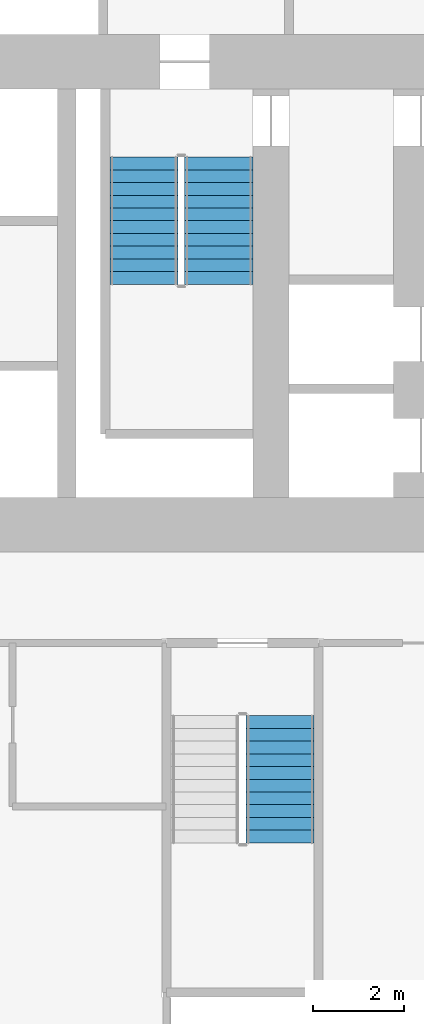
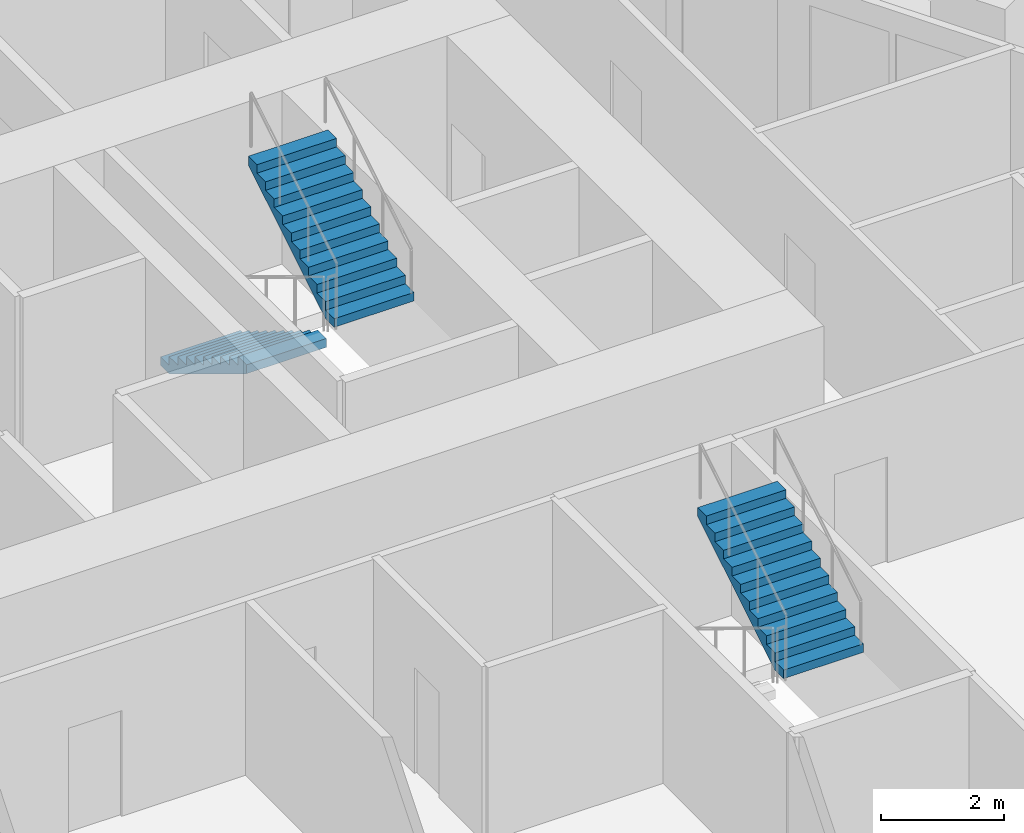
# One storey, part 7 of 8: 3 stair flights, 2 elements without a shape of their own.
"""IFC4 building model written with IfcOpenShell, lengths in metres."""

from ifc_helpers import new_model, si_unit, direction, frame, origin, place, context, subcontext, project, spatial, polyline, outline, extrude, material, type_object, element, aggregate, save


model = new_model("IFC4")

# Units and contexts
model_context = context("Model", 3, precision=1e-05, world=origin(), true_north=direction((0.0, 1.0)))
body_context = subcontext(model_context, "Body", "Model", "MODEL_VIEW")
ifc_project = project(units=[si_unit("LENGTHUNIT", "METRE"), si_unit("AREAUNIT", "SQUARE_METRE"), si_unit("VOLUMEUNIT", "CUBIC_METRE"), si_unit("PLANEANGLEUNIT", "RADIAN"), si_unit("MASSUNIT", "GRAM", prefix="KILO")], contexts=[model_context])

# Site, building, storey
site_placement = place(None, origin())
site = spatial("IfcSite", under=ifc_project, at=site_placement, CompositionType="ELEMENT")
building_placement = place(site_placement, origin())
building = spatial("IfcBuilding", under=site, at=building_placement, Name="Ostrander Bayou Hotel Tower", CompositionType="ELEMENT")
storey_placement = place(building_placement, frame((0.0, 0.0, 54.25)))
storey = spatial("IfcBuildingStorey", under=building, at=storey_placement, Name="L13", CompositionType="ELEMENT", Elevation=54.25)

# Stair, stair flights
ifc_material_1 = material(Name="Concrete f'c 45 MPa", Category="concrete")
stair_type = type_object("IfcStairType", Name="ST1 exit stair 1500 mm f'c 45 MPa", PredefinedType="HALF_TURN_STAIR", material=ifc_material_1)
stair_1_placement = place(storey_placement, origin())
stair_1 = element("IfcStair", 1, at=stair_1_placement, inside=storey, type_object=stair_type, Name="L13 exit stair B", PredefinedType="HALF_TURN_STAIR")
ifc_material_2 = material(Name="Concrete f'c 45 MPa", Category="concrete")
stair_flight_type = type_object("IfcStairFlightType", Name="SF1 stair flight 1500 mm f'c 45 MPa", PredefinedType="STRAIGHT", material=ifc_material_2)
stair_flight_1_placement = place(storey_placement, frame((5.300048828125, 7.0, 0.0), z_axis=(0.0, 0.0, 1.0), x_axis=(0.0, -1.0, 0.0)))
stair_flight_1 = element("IfcStairFlight", 2, at=stair_flight_1_placement, type_object=stair_flight_type, Name="STB flight 1", NumberOfRisers=11, NumberOfTreads=10, PredefinedType="STRAIGHT", RiserHeight=0.170454545, TreadLength=0.28, context=body_context, shape_type="SweptSolid", body=[
    extrude(outline(polyline([(0.0, 0.0), (0.0, 0.17041015625), (0.280029296875, 0.17041015625), (0.280029296875, 0.3408203125), (0.56005859375, 0.3408203125), (0.56005859375, 0.511474609375), (0.840087890625, 0.511474609375), (0.840087890625, 0.681884765625), (1.1201171875, 0.681884765625), (1.1201171875, 0.852294921875), (1.39990234375, 0.852294921875), (1.39990234375, 1.022705078125), (1.679931640625, 1.022705078125), (1.679931640625, 1.193115234375), (1.9599609375, 1.193115234375), (1.9599609375, 1.363525390625), (2.239990234375, 1.363525390625), (2.239990234375, 1.5341796875), (2.52001953125, 1.5341796875), (2.52001953125, 1.70458984375), (2.800048828125, 1.70458984375), (2.800048828125, 1.875), (2.800048828125, 1.529052734375), (0.288330078125, 0.0), (0.0, 0.0)])), frame((0.0, 0.75, 0.0), z_axis=(0.0, -1.0, 0.0), x_axis=(1.0, 0.0, 0.0)), (0.0, 0.0, 1.0), 1.5),
])
stair_flight_2_placement = place(storey_placement, frame((6.949951171875, 4.199951171875, 1.875), z_axis=(0.0, 0.0, 1.0), x_axis=(0.0, 1.0, 0.0)))
stair_flight_2 = element("IfcStairFlight", 3, at=stair_flight_2_placement, type_object=stair_flight_type, Name="STB flight 2", NumberOfRisers=11, NumberOfTreads=10, PredefinedType="STRAIGHT", RiserHeight=0.170454545, TreadLength=0.28, context=body_context, shape_type="SweptSolid", body=[
    extrude(outline(polyline([(0.0, 0.0), (0.0, 0.17041015625), (0.280029296875, 0.17041015625), (0.280029296875, 0.3408203125), (0.56005859375, 0.3408203125), (0.56005859375, 0.511474609375), (0.840087890625, 0.511474609375), (0.840087890625, 0.681884765625), (1.1201171875, 0.681884765625), (1.1201171875, 0.852294921875), (1.39990234375, 0.852294921875), (1.39990234375, 1.022705078125), (1.679931640625, 1.022705078125), (1.679931640625, 1.193115234375), (1.9599609375, 1.193115234375), (1.9599609375, 1.363525390625), (2.239990234375, 1.363525390625), (2.239990234375, 1.5341796875), (2.52001953125, 1.5341796875), (2.52001953125, 1.70458984375), (2.800048828125, 1.70458984375), (2.800048828125, 1.875), (2.800048828125, 1.529052734375), (0.288330078125, 0.0), (0.0, 0.0)])), frame((0.0, 0.75, 0.0), z_axis=(0.0, -1.0, 0.0), x_axis=(1.0, 0.0, 0.0)), (0.0, 0.0, 1.0), 1.5),
])
aggregate(stair_1, [stair_flight_1, stair_flight_2])

# Stair, stair flight
stair_2_placement = place(storey_placement, origin())
stair_2 = element("IfcStair", 4, at=stair_2_placement, inside=storey, type_object=stair_type, Name="L13 exit stair C", PredefinedType="HALF_TURN_STAIR")
stair_flight_3_placement = place(storey_placement, frame((8.300048828125, -8.10009765625, 1.875), z_axis=(0.0, 0.0, 1.0), x_axis=(0.0, 1.0, 0.0)))
stair_flight_3 = element("IfcStairFlight", 5, at=stair_flight_3_placement, type_object=stair_flight_type, Name="STC flight 2", NumberOfRisers=11, NumberOfTreads=10, PredefinedType="STRAIGHT", RiserHeight=0.170454545, TreadLength=0.28, context=body_context, shape_type="SweptSolid", body=[
    extrude(outline(polyline([(0.0, 0.0), (0.0, 0.17041015625), (0.280029296875, 0.17041015625), (0.280029296875, 0.3408203125), (0.56005859375, 0.3408203125), (0.56005859375, 0.511474609375), (0.840087890625, 0.511474609375), (0.840087890625, 0.681884765625), (1.1201171875, 0.681884765625), (1.1201171875, 0.852294921875), (1.39990234375, 0.852294921875), (1.39990234375, 1.022705078125), (1.679931640625, 1.022705078125), (1.679931640625, 1.193115234375), (1.9599609375, 1.193115234375), (1.9599609375, 1.363525390625), (2.239990234375, 1.363525390625), (2.239990234375, 1.5341796875), (2.52001953125, 1.5341796875), (2.52001953125, 1.70458984375), (2.800048828125, 1.70458984375), (2.800048828125, 1.875), (2.800048828125, 1.529052734375), (0.288330078125, 0.0), (0.0, 0.0)])), frame((0.0, 0.75, 0.0), z_axis=(0.0, -1.0, 0.0), x_axis=(1.0, 0.0, 0.0)), (0.0, 0.0, 1.0), 1.5),
])
aggregate(stair_2, [stair_flight_3])

save(model, "model.ifc")
